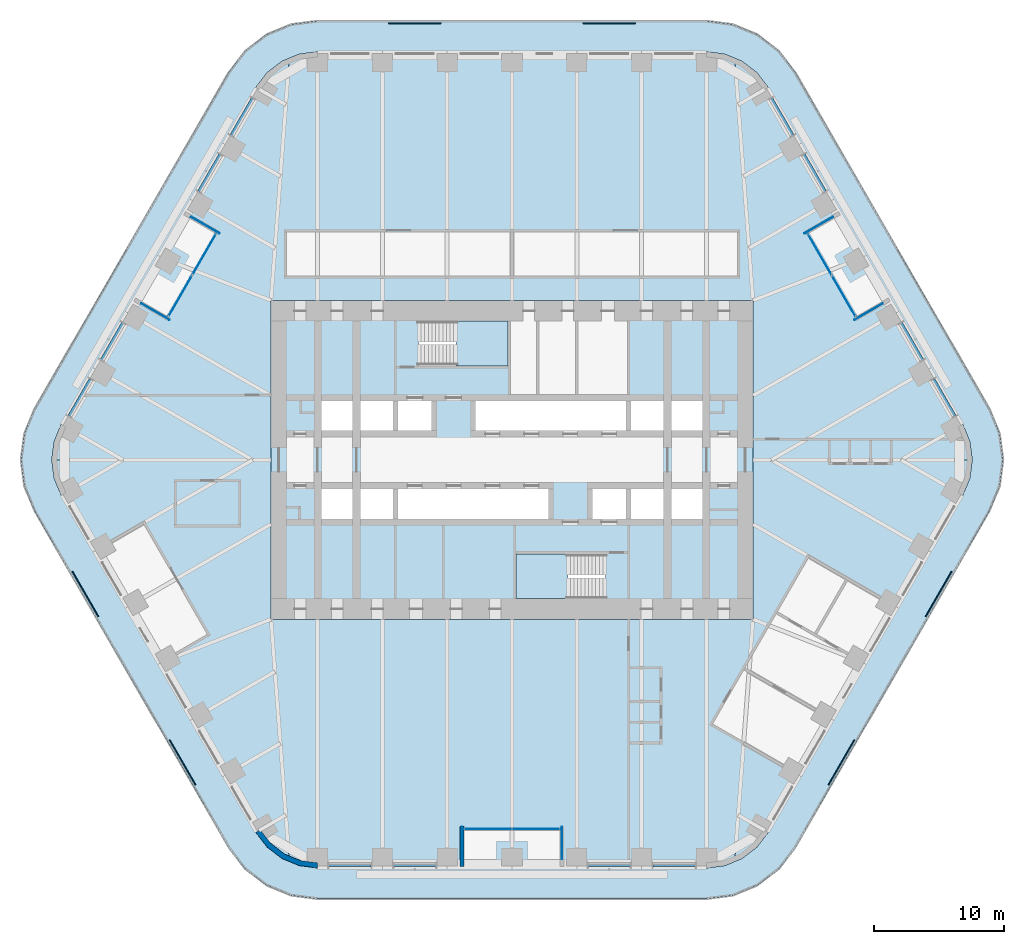
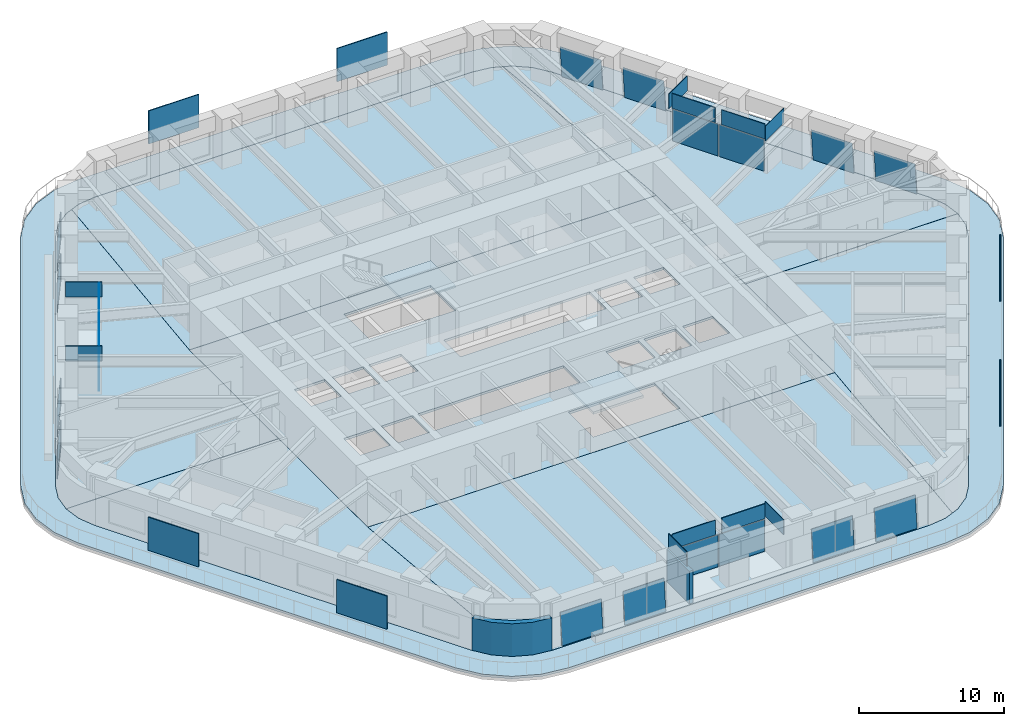
# One storey, part 16 of 24: 36 plates, 10 slabs, 2 walls, 17 elements without a shape of their own.
"""IFC4 building model written with IfcOpenShell, lengths in metres."""

import ifcopenshell
import ifcopenshell.guid

model = None  # the IFC model being written
_history = None  # IfcOwnerHistory: only IFC2X3 demands one
_inside = {}  # id of a spatial element -> (the spatial element, [elements in it])
_under = {}  # id of a project, library or spatial element -> (it, [spatial elements below it])
_declared = {}  # id of a project -> (the project, [libraries it declares])
_typed = {}  # id of a type object -> (the type object, [elements of that type])
_made_of = {}  # id of a material, layer set ... -> (it, [elements and type objects made of it])


def new_model(schema):
    """Start an empty IFC model of exactly this schema.

    Asked for "IFC4X3", IfcOpenShell would pick the latest addendum, in which some entities
    have other attributes; the version numbers below select the first issue.
    IFC2X3 requires an IfcOwnerHistory on every rooted entity: one is made here for all.
    """
    global model, _history
    if schema == "IFC4X3":
        model = ifcopenshell.file(schema_version=(4, 3, 0, 0))
    else:
        model = ifcopenshell.file(schema=schema)
    _inside.clear()
    _under.clear()
    _declared.clear()
    _typed.clear()
    _made_of.clear()
    _history = None
    if model.schema == "IFC2X3":
        org = make("IfcOrganization", Name="unknown")
        user = make(
            "IfcPersonAndOrganization",
            ThePerson=make("IfcPerson", FamilyName="unknown"),
            TheOrganization=org,
        )
        app = make(
            "IfcApplication",
            ApplicationDeveloper=org,
            Version="unknown",
            ApplicationFullName="unknown",
            ApplicationIdentifier="unknown",
        )
        _history = make(
            "IfcOwnerHistory",
            OwningUser=user,
            OwningApplication=app,
            ChangeAction="ADDED",
            CreationDate=0,
        )
    return model


def make(cls, **values):
    """One entity of the class cls with the attributes given. An attribute that is None is left unset."""
    return model.create_entity(
        cls, **{name: value for name, value in values.items() if value is not None}
    )


def rooted(cls, **values):
    """An entity with a GlobalId (a new one), such as an element, a storey or a relation."""
    return make(cls, GlobalId=ifcopenshell.guid.new(), OwnerHistory=_history, **values)


def si_unit(unit_type, name, prefix=None):
    """IfcSIUnit, for example si_unit("LENGTHUNIT", "METRE", prefix="MILLI")."""
    return make("IfcSIUnit", UnitType=unit_type, Prefix=prefix, Name=name)


def assignment(units):
    """IfcUnitAssignment: the units of a project."""
    return None if units is None else make("IfcUnitAssignment", Units=units)


def point(xyz):
    """IfcCartesianPoint."""
    return None if xyz is None else make("IfcCartesianPoint", Coordinates=xyz)


def direction(xyz):
    """IfcDirection."""
    return None if xyz is None else make("IfcDirection", DirectionRatios=xyz)


def frame(location, z_axis=None, x_axis=None):
    """IfcAxis2Placement3D, a coordinate frame: its origin and axes. An axis left out is left unset."""
    return make(
        "IfcAxis2Placement3D",
        Location=point(location),
        Axis=direction(z_axis),
        RefDirection=direction(x_axis),
    )


def frame_2d(location, x_axis=None):
    """IfcAxis2Placement2D, a coordinate frame in the plane: its origin and x axis."""
    return make(
        "IfcAxis2Placement2D", Location=point(location), RefDirection=direction(x_axis)
    )


def origin():
    """The frame at (0, 0, 0) with its axes left unset."""
    return frame((0.0, 0.0, 0.0))


def origin_2d():
    """The frame at (0, 0) in the plane with its x axis left unset."""
    return frame_2d((0.0, 0.0))


def place(relative_to, where):
    """IfcLocalPlacement: puts the frame where relative to a parent placement (None: the world)."""
    return make(
        "IfcLocalPlacement", PlacementRelTo=relative_to, RelativePlacement=where
    )


def context(
    kind, dimensions, precision=None, world=None, true_north=None, identifier=None
):
    """IfcGeometricRepresentationContext, for example the 3D "Model" context."""
    return make(
        "IfcGeometricRepresentationContext",
        ContextIdentifier=identifier,
        ContextType=kind,
        CoordinateSpaceDimension=dimensions,
        Precision=precision,
        WorldCoordinateSystem=world,
        TrueNorth=true_north,
    )


def subcontext(parent, identifier, kind, view, scale=None):
    """IfcGeometricRepresentationSubContext, for example "Body" below "Model"."""
    return make(
        "IfcGeometricRepresentationSubContext",
        ContextIdentifier=identifier,
        ContextType=kind,
        ParentContext=parent,
        TargetScale=scale,
        TargetView=view,
    )


def project(units=None, contexts=None):
    """IfcProject with its units and contexts."""
    return rooted(
        "IfcProject",
        Name="project",
        RepresentationContexts=contexts,
        UnitsInContext=assignment(units),
    )


def spatial(cls, under=None, at=None, **own):
    """A site, building, storey or space (cls), placed at a placement, below another one or the project."""
    s = rooted(cls, ObjectPlacement=at, **own)
    if under is not None:
        _under.setdefault(under.id(), (under, []))[1].append(s)
    return s


def polyline(points):
    """IfcPolyline through the points."""
    return make("IfcPolyline", Points=[point(p) for p in points])


def profile(cls, at=None, kind="AREA", **sizes):
    """A parametric profile (cls). Its sizes go by their IFC names, for example OverallWidth=200.0."""
    return make(cls, ProfileType=kind, Position=at, **sizes)


def rectangle(**sizes):
    """IfcRectangleProfileDef."""
    return profile("IfcRectangleProfileDef", **sizes)


def outline(outer, holes=None, kind="AREA"):
    """IfcArbitraryClosedProfileDef: a profile drawn as a closed curve; with holes, ...WithVoids."""
    if holes is None:
        return make("IfcArbitraryClosedProfileDef", ProfileType=kind, OuterCurve=outer)
    return make(
        "IfcArbitraryProfileDefWithVoids",
        ProfileType=kind,
        OuterCurve=outer,
        InnerCurves=holes,
    )


def extrude(swept, where, along, depth):
    """IfcExtrudedAreaSolid: the profile swept, set in the frame where, extruded along a direction by depth."""
    return make(
        "IfcExtrudedAreaSolid",
        SweptArea=swept,
        Position=where,
        ExtrudedDirection=direction(along),
        Depth=depth,
    )


def shape(context_of_items, identifier, shape_type, items):
    """IfcShapeRepresentation: the items that make up one representation, for example the "Body"."""
    return make(
        "IfcShapeRepresentation",
        ContextOfItems=context_of_items,
        RepresentationIdentifier=identifier,
        RepresentationType=shape_type,
        Items=items,
    )


def material(Name=None, Category=None):
    """IfcMaterial."""
    return make("IfcMaterial", Name=Name, Category=Category)


def layer(
    of_material, thickness, ventilated=None, Name=None, Category=None, Priority=None
):
    """IfcMaterialLayer: one layer of a wall or slab, of a material (None: an air gap)."""
    return make(
        "IfcMaterialLayer",
        Material=of_material,
        LayerThickness=thickness,
        IsVentilated=ventilated,
        Name=Name,
        Category=Category,
        Priority=Priority,
    )


def layer_set(layers, Name=None):
    """IfcMaterialLayerSet."""
    return make("IfcMaterialLayerSet", MaterialLayers=layers, LayerSetName=Name)


def made_of(thing, what):
    """Note that an element or type object is made of a material, layer set ...; save() writes the relation."""
    if what is not None:
        _made_of.setdefault(what.id(), (what, []))[1].append(thing)
    return thing


def type_object(cls, material=None, **own):
    """A type object (cls), such as IfcWallType, which elements share."""
    return made_of(rooted(cls, **own), material)


def element(
    cls,
    number,
    at=None,
    inside=None,
    cuts=None,
    type_object=None,
    material=None,
    context=None,
    identifier="Body",
    shape_type=None,
    held_by="IfcProductDefinitionShape",
    body=None,
    shapes=None,
    **own,
):
    """One element of the class cls, such as IfcWall. Its Tag is "e" and its number.

    at: its placement. inside: the storey or other place that contains it. cuts: it is an
    opening in that element (IfcRelVoidsElement). A single representation is given by context,
    identifier, shape_type and body (its items); several are given by shapes. held_by: the class
    of the entity that holds the representations. save() writes the other relations.
    """
    e = rooted(cls, Tag="e%d" % number, ObjectPlacement=at, **own)
    if body is not None:
        shapes = [shape(context, identifier, shape_type, body)]
    if shapes is not None:
        e.Representation = make(held_by, Representations=shapes)
    if inside is not None:
        _inside.setdefault(inside.id(), (inside, []))[1].append(e)
    if cuts is not None:
        rooted(
            "IfcRelVoidsElement", RelatingBuildingElement=cuts, RelatedOpeningElement=e
        )
    if type_object is not None:
        _typed.setdefault(type_object.id(), (type_object, []))[1].append(e)
    return made_of(e, material)


def aggregate(whole, parts):
    """IfcRelAggregates: a whole, such as a stair, and the parts it consists of."""
    return rooted("IfcRelAggregates", RelatingObject=whole, RelatedObjects=parts)


def save(model, path):
    """Write the relations noted so far, then the file.

    IfcRelAggregates (storeys below a building ...), IfcRelContainedInSpatialStructure (elements
    in a storey), IfcRelDefinesByType, IfcRelAssociatesMaterial and IfcRelDeclares: one each for
    every whole, place, type object, material and project.
    """
    for whole, parts in _under.values():
        aggregate(whole, parts)
    for where, things in _inside.values():
        rooted(
            "IfcRelContainedInSpatialStructure",
            RelatedElements=things,
            RelatingStructure=where,
        )
    for kind, things in _typed.values():
        rooted("IfcRelDefinesByType", RelatedObjects=things, RelatingType=kind)
    for what, things in _made_of.values():
        rooted("IfcRelAssociatesMaterial", RelatedObjects=things, RelatingMaterial=what)
    for by, libraries in _declared.values():
        rooted("IfcRelDeclares", RelatingContext=by, RelatedDefinitions=libraries)
    model.write(path)


model = new_model("IFC4")

# Units and contexts
model_context = context("Model", 3, precision=1e-05, world=origin(), true_north=direction((0.0, 1.0)))
body_context = subcontext(model_context, "Body", "Model", "MODEL_VIEW")
ifc_project = project(units=[si_unit("LENGTHUNIT", "METRE"), si_unit("AREAUNIT", "SQUARE_METRE"), si_unit("VOLUMEUNIT", "CUBIC_METRE"), si_unit("PLANEANGLEUNIT", "RADIAN"), si_unit("MASSUNIT", "GRAM", prefix="KILO")], contexts=[model_context])

# Site, building, storey
site_placement = place(None, origin())
site = spatial("IfcSite", under=ifc_project, at=site_placement, CompositionType="ELEMENT")
building_placement = place(site_placement, origin())
building = spatial("IfcBuilding", under=site, at=building_placement, Name="Tarfa Lantern Tower", CompositionType="ELEMENT")
storey_placement = place(building_placement, frame((0.0, 0.0, 161.5)))
storey = spatial("IfcBuildingStorey", under=building, at=storey_placement, Name="L36", CompositionType="ELEMENT", Elevation=161.5)

# Slab
ifc_material_1 = material(Name="Concrete C40/50", Category="concrete")
ifc_layer_1 = layer(ifc_material_1, 0.199951171875)
ifc_layer_set_1 = layer_set([ifc_layer_1], Name="BS2 BALCONY SLAB 200")
slab_type_1 = type_object("IfcSlabType", Name="BS2 BALCONY SLAB 200", PredefinedType="FLOOR", material=ifc_layer_set_1)
slab_1_placement = place(storey_placement, frame((0.0, 0.0, -0.199951171875)))
element("IfcSlab", 1, at=slab_1_placement, inside=storey, type_object=slab_type_1, Name="Balcony L36", PredefinedType="FLOOR", context=body_context, shape_type="SweptSolid", body=[
    extrude(outline(polyline([(36.86376953125, 3.949951171875), (21.852783203125, 29.949951171875), (20.59716796875, 31.586181640625), (18.961181640625, 32.841552734375), (17.0556640625, 33.630859375), (15.010986328125, 33.89990234375), (-15.010986328125, 33.89990234375), (-17.0556640625, 33.630859375), (-18.961181640625, 32.841552734375), (-20.59716796875, 31.586181640625), (-21.852783203125, 29.949951171875), (-36.86376953125, 3.949951171875), (-37.653076171875, 2.044677734375), (-37.922119140625, 0.0), (-37.653076171875, -2.044677734375), (-36.86376953125, -3.949951171875), (-21.852783203125, -29.949951171875), (-20.59716796875, -31.586181640625), (-18.961181640625, -32.841552734375), (-17.0556640625, -33.630859375), (-15.010986328125, -33.89990234375), (15.010986328125, -33.89990234375), (17.0556640625, -33.630859375), (18.961181640625, -32.841552734375), (20.59716796875, -31.586181640625), (21.852783203125, -29.949951171875), (36.86376953125, -3.949951171875), (37.653076171875, -2.044677734375), (37.922119140625, 0.0), (37.653076171875, 2.044677734375), (36.86376953125, 3.949951171875)]), holes=[polyline([(34.785400390625, 2.75), (19.774169921875, 28.75), (18.900146484375, 29.88916015625), (17.760986328125, 30.76318359375), (16.4345703125, 31.3125), (15.010986328125, 31.5), (-15.010986328125, 31.5), (-16.4345703125, 31.3125), (-17.760986328125, 30.76318359375), (-18.900146484375, 29.88916015625), (-19.774169921875, 28.75), (-34.785400390625, 2.75), (-35.334716796875, 1.423583984375), (-35.522216796875, 0.0), (-35.334716796875, -1.423583984375), (-34.785400390625, -2.75), (-19.774169921875, -28.75), (-18.900146484375, -29.88916015625), (-17.760986328125, -30.76318359375), (-16.4345703125, -31.3125), (-15.010986328125, -31.5), (15.010986328125, -31.5), (16.4345703125, -31.3125), (17.760986328125, -30.76318359375), (18.900146484375, -29.88916015625), (19.774169921875, -28.75), (34.785400390625, -2.75), (35.334716796875, -1.423583984375), (35.522216796875, 0.0), (35.334716796875, 1.423583984375), (34.785400390625, 2.75)])]), origin(), (0.0, 0.0, 1.0), 0.199951171875),
])

# Curtain wall, plate
ifc_material_2 = material(Name="Aluminium framed curtain wall", Category="aluminium")
curtain_wall_type_1 = type_object("IfcCurtainWallType", Name="CW2 CANTED GLAZING MID ZONE 2750", PredefinedType="USERDEFINED", material=ifc_material_2)
curtain_wall_1_placement = place(storey_placement, origin())
curtain_wall_1 = element("IfcCurtainWall", 2, at=curtain_wall_1_placement, inside=storey, type_object=curtain_wall_type_1, Name="CW2 NE L36", ObjectType="CURTAIN WALL", PredefinedType="USERDEFINED")
ifc_material_3 = material(Name="Laminated double glazing", Category="glass")
ifc_layer_2 = layer(ifc_material_3, 0.028076171875)
ifc_layer_set_2 = layer_set([ifc_layer_2], Name="CWP1 DOUBLE GLAZED PANEL")
plate_type_1 = type_object("IfcPlateType", Name="CWP1 DOUBLE GLAZED PANEL", PredefinedType="CURTAIN_PANEL", material=ifc_layer_set_2)
plate_1_placement = place(storey_placement, frame((34.266357421875, 3.44921875, 0.0), z_axis=(0.862441677575, 0.497990996223, 0.09055009919), x_axis=(-0.500045231271, 0.865999287923, 0.0)))
plate_1 = element("IfcPlate", 3, at=plate_1_placement, type_object=plate_type_1, Name="CW2 panel 1.1", PredefinedType="CURTAIN_PANEL", context=body_context, shape_type="SweptSolid", body=[
    extrude(outline(polyline([(0.0, 0.0), (3.2736296403891254, -2.7755575615628914e-17), (3.273639290369484, 2.696134580088432), (9.64998035858606e-06, 2.696134580088432), (0.0, 0.0)])), origin(), (0.0, 0.0, -1.0), 0.028076171875),
])
aggregate(curtain_wall_1, [plate_1])

curtain_wall_2_placement = place(storey_placement, origin())
curtain_wall_2 = element("IfcCurtainWall", 4, at=curtain_wall_2_placement, inside=storey, type_object=curtain_wall_type_1, Name="CW2 NE L36", ObjectType="CURTAIN WALL", PredefinedType="USERDEFINED")
plate_2_placement = place(storey_placement, frame((31.764404296875, 7.782470703125, 0.0), z_axis=(0.862479387985, 0.497932752669, 0.090511209914), x_axis=(-0.499985201727, 0.866033947398, 2.910741e-06)))
plate_2 = element("IfcPlate", 5, at=plate_2_placement, type_object=plate_type_1, Name="CW2 panel 1.1", PredefinedType="CURTAIN_PANEL", context=body_context, shape_type="SweptSolid", body=[
    extrude(outline(polyline([(0.0, 0.0), (3.2738410665798376, 0.0), (3.273719542684435, 2.696115441250439), (5.428042382078573e-07, 2.696134578050012), (0.0, 0.0)])), origin(), (0.0, 0.0, -1.0), 0.028076171875),
])
aggregate(curtain_wall_2, [plate_2])

curtain_wall_3_placement = place(storey_placement, origin())
curtain_wall_3 = element("IfcCurtainWall", 6, at=curtain_wall_3_placement, inside=storey, type_object=curtain_wall_type_1, Name="CW2 NEB L36", ObjectType="CURTAIN WALL", PredefinedType="USERDEFINED")
plate_3_placement = place(storey_placement, frame((24.2587890625, 20.782470703125, 0.0), z_axis=(0.862492405459, 0.49790313323, 0.090550099086), x_axis=(-0.499957005835, 0.866050225054, 0.0)))
plate_3 = element("IfcPlate", 7, at=plate_3_placement, type_object=plate_type_1, Name="CW2 panel 1.1", PredefinedType="CURTAIN_PANEL", context=body_context, shape_type="SweptSolid", body=[
    extrude(outline(polyline([(0.0, 0.0), (3.273719001629088, 0.0), (3.2737037805661293, 2.6961345800627363), (-1.5221062958495346e-05, 2.6961345800627363), (0.0, 0.0)])), origin(), (0.0, 0.0, -1.0), 0.028076171875),
])
aggregate(curtain_wall_3, [plate_3])

curtain_wall_4_placement = place(storey_placement, origin())
curtain_wall_4 = element("IfcCurtainWall", 8, at=curtain_wall_4_placement, inside=storey, type_object=curtain_wall_type_1, Name="CW2 NEB L36", ObjectType="CURTAIN WALL", PredefinedType="USERDEFINED")
plate_4_placement = place(storey_placement, frame((21.757080078125, 25.11572265625, 0.0), z_axis=(0.862460247027, 0.49795883547, 0.09055009926), x_axis=(-0.500012937857, 0.86601793398, 0.0)))
plate_4 = element("IfcPlate", 9, at=plate_4_placement, type_object=plate_type_1, Name="CW2 panel 1.1", PredefinedType="CURTAIN_PANEL", context=body_context, shape_type="SweptSolid", body=[
    extrude(outline(polyline([(0.0, 0.0), (3.2738410682727324, -2.7755575615628914e-17), (3.27384161446276, 2.6961345801056464), (5.461900275667914e-07, 2.6961345801056464), (0.0, 0.0)])), origin(), (0.0, 0.0, -1.0), 0.028076171875),
])
aggregate(curtain_wall_4, [plate_4])

# Curtain wall, plates
curtain_wall_type_2 = type_object("IfcCurtainWallType", Name="CW10 LOGGIA GLAZING 2750", PredefinedType="USERDEFINED", material=ifc_material_2)
curtain_wall_5_placement = place(storey_placement, origin())
curtain_wall_5 = element("IfcCurtainWall", 10, at=curtain_wall_5_placement, inside=storey, type_object=curtain_wall_type_2, Name="CW10 NEL L36", ObjectType="CURTAIN WALL", PredefinedType="USERDEFINED")
plate_5_placement = place(storey_placement, frame((25.599609375, 12.660400390625, 0.0), z_axis=(0.0, 0.0, 1.0), x_axis=(-0.5, 0.866025403784, 0.0)))
plate_5 = element("IfcPlate", 11, at=plate_5_placement, type_object=plate_type_1, Name="CW10 panel 1.1", PredefinedType="CURTAIN_PANEL", context=body_context, shape_type="SweptSolid", body=[
    extrude(rectangle(XDim=3.606201171875, YDim=0.028076171875, at=origin_2d()), origin(), (0.0, 0.0, 1.0), 2.68505859375),
])
plate_6_placement = place(storey_placement, frame((23.763916015625, 15.839599609375, 0.0), z_axis=(0.0, 0.0, 1.0), x_axis=(-0.5, 0.866025403784, 0.0)))
plate_6 = element("IfcPlate", 12, at=plate_6_placement, type_object=plate_type_1, Name="CW10 panel 2.1", PredefinedType="CURTAIN_PANEL", context=body_context, shape_type="SweptSolid", body=[
    extrude(rectangle(XDim=3.606201171875, YDim=0.028076171875, at=origin_2d()), origin(), (0.0, 0.0, 1.0), 2.68505859375),
])
aggregate(curtain_wall_5, [plate_5, plate_6])

# Curtain wall, plate
curtain_wall_6_placement = place(storey_placement, origin())
curtain_wall_6 = element("IfcCurtainWall", 13, at=curtain_wall_6_placement, inside=storey, type_object=curtain_wall_type_1, Name="CW2 NW L36", ObjectType="CURTAIN WALL", PredefinedType="USERDEFINED")
plate_7_placement = place(storey_placement, frame((-20.1201171875, 27.950927734375, 0.0), z_axis=(-0.862460247027, 0.49795883547, 0.09055009926), x_axis=(-0.500012937857, -0.86601793398, 0.0)))
plate_7 = element("IfcPlate", 14, at=plate_7_placement, type_object=plate_type_1, Name="CW2 panel 1.1", PredefinedType="CURTAIN_PANEL", context=body_context, shape_type="SweptSolid", body=[
    extrude(outline(polyline([(0.0, 0.0), (3.2738410682727324, 2.7755575615628914e-17), (3.273840522082705, 2.6961345801056464), (-5.461900275667914e-07, 2.6961345801056464), (0.0, 0.0)])), origin(), (0.0, 0.0, -1.0), 0.028076171875),
])
aggregate(curtain_wall_6, [plate_7])

curtain_wall_7_placement = place(storey_placement, origin())
curtain_wall_7 = element("IfcCurtainWall", 15, at=curtain_wall_7_placement, inside=storey, type_object=curtain_wall_type_1, Name="CW2 NW L36", ObjectType="CURTAIN WALL", PredefinedType="USERDEFINED")
plate_8_placement = place(storey_placement, frame((-22.6220703125, 23.61767578125, 0.0), z_axis=(-0.862492405459, 0.49790313323, 0.090550099086), x_axis=(-0.499957005835, -0.866050225054, 0.0)))
plate_8 = element("IfcPlate", 16, at=plate_8_placement, type_object=plate_type_1, Name="CW2 panel 1.1", PredefinedType="CURTAIN_PANEL", context=body_context, shape_type="SweptSolid", body=[
    extrude(outline(polyline([(0.0, 0.0), (3.273719001629088, 0.0), (3.2737342226920463, 2.6961345800627363), (1.5221062958495346e-05, 2.6961345800627363), (0.0, 0.0)])), origin(), (0.0, 0.0, -1.0), 0.028076171875),
])
aggregate(curtain_wall_7, [plate_8])

curtain_wall_8_placement = place(storey_placement, origin())
curtain_wall_8 = element("IfcCurtainWall", 17, at=curtain_wall_8_placement, inside=storey, type_object=curtain_wall_type_1, Name="CW2 NWB L36", ObjectType="CURTAIN WALL", PredefinedType="USERDEFINED")
plate_9_placement = place(storey_placement, frame((-30.12744140625, 10.61767578125, 0.0), z_axis=(-0.862479387985, 0.497932752669, 0.090511209914), x_axis=(-0.499985201727, -0.866033947398, -2.910741e-06)))
plate_9 = element("IfcPlate", 18, at=plate_9_placement, type_object=plate_type_1, Name="CW2 panel 1.1", PredefinedType="CURTAIN_PANEL", context=body_context, shape_type="SweptSolid", body=[
    extrude(outline(polyline([(0.0, 0.0), (3.2738410665798376, 0.0), (3.2738405237755996, 2.696134578050012), (0.00012152389540222507, 2.6961154412504387), (0.0, 0.0)])), origin(), (0.0, 0.0, -1.0), 0.028076171875),
])
aggregate(curtain_wall_8, [plate_9])

curtain_wall_9_placement = place(storey_placement, origin())
curtain_wall_9 = element("IfcCurtainWall", 19, at=curtain_wall_9_placement, inside=storey, type_object=curtain_wall_type_1, Name="CW2 NWB L36", ObjectType="CURTAIN WALL", PredefinedType="USERDEFINED")
plate_10_placement = place(storey_placement, frame((-32.62939453125, 6.2841796875, 0.0), z_axis=(-0.862441677575, 0.497990996223, 0.09055009919), x_axis=(-0.500045231271, -0.865999287923, 0.0)))
plate_10 = element("IfcPlate", 20, at=plate_10_placement, type_object=plate_type_1, Name="CW2 panel 1.1", PredefinedType="CURTAIN_PANEL", context=body_context, shape_type="SweptSolid", body=[
    extrude(outline(polyline([(0.0, 0.0), (3.2736296403891254, 2.7755575615628914e-17), (3.273619990408767, 2.696134580088432), (-9.64998035858606e-06, 2.696134580088432), (0.0, 0.0)])), origin(), (0.0, 0.0, -1.0), 0.028076171875),
])
aggregate(curtain_wall_9, [plate_10])

# Curtain wall, plates
curtain_wall_10_placement = place(storey_placement, origin())
curtain_wall_10 = element("IfcCurtainWall", 21, at=curtain_wall_10_placement, inside=storey, type_object=curtain_wall_type_2, Name="CW10 NWL L36", ObjectType="CURTAIN WALL", PredefinedType="USERDEFINED")
plate_11_placement = place(storey_placement, frame((-23.763916015625, 15.839599609375, 0.0), z_axis=(0.0, 0.0, 1.0), x_axis=(-0.5, -0.866025403784, 0.0)))
plate_11 = element("IfcPlate", 22, at=plate_11_placement, type_object=plate_type_1, Name="CW10 panel 1.1", PredefinedType="CURTAIN_PANEL", context=body_context, shape_type="SweptSolid", body=[
    extrude(rectangle(XDim=3.606201171875, YDim=0.028076171875, at=origin_2d()), origin(), (0.0, 0.0, 1.0), 2.68505859375),
])
plate_12_placement = place(storey_placement, frame((-25.599609375, 12.660400390625, 0.0), z_axis=(0.0, 0.0, 1.0), x_axis=(-0.5, -0.866025403784, 0.0)))
plate_12 = element("IfcPlate", 23, at=plate_12_placement, type_object=plate_type_1, Name="CW10 panel 2.1", PredefinedType="CURTAIN_PANEL", context=body_context, shape_type="SweptSolid", body=[
    extrude(rectangle(XDim=3.606201171875, YDim=0.028076171875, at=origin_2d()), origin(), (0.0, 0.0, 1.0), 2.68505859375),
])
aggregate(curtain_wall_10, [plate_11, plate_12])

# Curtain wall, plate
curtain_wall_11_placement = place(storey_placement, origin())
curtain_wall_11 = element("IfcCurtainWall", 24, at=curtain_wall_11_placement, inside=storey, type_object=curtain_wall_type_1, Name="CW2 S L36", ObjectType="CURTAIN WALL", PredefinedType="USERDEFINED")
plate_13_placement = place(storey_placement, frame((-14.14599609375, -31.39990234375, 0.0), z_axis=(0.0, -0.995899883883, 0.090462264412), x_axis=(1.0, 0.0, 0.0)))
plate_13 = element("IfcPlate", 25, at=plate_13_placement, type_object=plate_type_1, Name="CW2 panel 1.1", PredefinedType="CURTAIN_PANEL", context=body_context, shape_type="SweptSolid", body=[
    extrude(outline(polyline([(0.0, 0.0), (3.273681640625, 0.0), (3.273681640625, 2.6961129699923947), (0.0, 2.6961129699923947), (0.0, 0.0)])), origin(), (0.0, 0.0, -1.0), 0.028076171875),
])
aggregate(curtain_wall_11, [plate_13])

curtain_wall_12_placement = place(storey_placement, origin())
curtain_wall_12 = element("IfcCurtainWall", 26, at=curtain_wall_12_placement, inside=storey, type_object=curtain_wall_type_1, Name="CW2 S L36", ObjectType="CURTAIN WALL", PredefinedType="USERDEFINED")
plate_14_placement = place(storey_placement, frame((-9.142333984375, -31.39990234375, 0.0), z_axis=(0.0, -0.995899883883, 0.090462264412), x_axis=(1.0, 0.0, 0.0)))
plate_14 = element("IfcPlate", 27, at=plate_14_placement, type_object=plate_type_1, Name="CW2 panel 1.1", PredefinedType="CURTAIN_PANEL", context=body_context, shape_type="SweptSolid", body=[
    extrude(outline(polyline([(0.0, 0.0), (3.273681640625, 0.0), (3.273681640625, 2.6961129699923947), (0.0, 2.6961129699923947), (0.0, 0.0)])), origin(), (0.0, 0.0, -1.0), 0.028076171875),
])
aggregate(curtain_wall_12, [plate_14])

curtain_wall_13_placement = place(storey_placement, origin())
curtain_wall_13 = element("IfcCurtainWall", 28, at=curtain_wall_13_placement, inside=storey, type_object=curtain_wall_type_1, Name="CW2 SB L36", ObjectType="CURTAIN WALL", PredefinedType="USERDEFINED")
plate_15_placement = place(storey_placement, frame((5.86865234375, -31.39990234375, 0.0), z_axis=(0.0, -0.995899883883, 0.090462264412), x_axis=(1.0, 0.0, 0.0)))
plate_15 = element("IfcPlate", 29, at=plate_15_placement, type_object=plate_type_1, Name="CW2 panel 1.1", PredefinedType="CURTAIN_PANEL", context=body_context, shape_type="SweptSolid", body=[
    extrude(outline(polyline([(0.0, 0.0), (3.273681640625, 0.0), (3.273681640625, 2.6961129699923947), (0.0, 2.6961129699923947), (0.0, 0.0)])), origin(), (0.0, 0.0, -1.0), 0.028076171875),
])
aggregate(curtain_wall_13, [plate_15])

curtain_wall_14_placement = place(storey_placement, origin())
curtain_wall_14 = element("IfcCurtainWall", 30, at=curtain_wall_14_placement, inside=storey, type_object=curtain_wall_type_1, Name="CW2 SB L36", ObjectType="CURTAIN WALL", PredefinedType="USERDEFINED")
plate_16_placement = place(storey_placement, frame((10.872314453125, -31.39990234375, 0.0), z_axis=(0.0, -0.995899883883, 0.090462264412), x_axis=(1.0, 0.0, 0.0)))
plate_16 = element("IfcPlate", 31, at=plate_16_placement, type_object=plate_type_1, Name="CW2 panel 1.1", PredefinedType="CURTAIN_PANEL", context=body_context, shape_type="SweptSolid", body=[
    extrude(outline(polyline([(0.0, 0.0), (3.273681640625, 0.0), (3.273681640625, 2.6961129699923947), (0.0, 2.6961129699923947), (0.0, 0.0)])), origin(), (0.0, 0.0, -1.0), 0.028076171875),
])
aggregate(curtain_wall_14, [plate_16])

# Curtain wall, plates
curtain_wall_15_placement = place(storey_placement, origin())
curtain_wall_15 = element("IfcCurtainWall", 32, at=curtain_wall_15_placement, inside=storey, type_object=curtain_wall_type_2, Name="CW10 SL L36", ObjectType="CURTAIN WALL", PredefinedType="USERDEFINED")
plate_17_placement = place(storey_placement, frame((-1.835693359375, -28.5, 0.0), z_axis=(0.0, 0.0, 1.0), x_axis=(1.0, 0.0, 0.0)))
plate_17 = element("IfcPlate", 33, at=plate_17_placement, type_object=plate_type_1, Name="CW10 panel 1.1", PredefinedType="CURTAIN_PANEL", context=body_context, shape_type="SweptSolid", body=[
    extrude(rectangle(XDim=3.606201171875, YDim=0.028076171875, at=origin_2d()), origin(), (0.0, 0.0, 1.0), 2.68505859375),
])
plate_18_placement = place(storey_placement, frame((1.835693359375, -28.5, 0.0), z_axis=(0.0, 0.0, 1.0), x_axis=(1.0, 0.0, 0.0)))
plate_18 = element("IfcPlate", 34, at=plate_18_placement, type_object=plate_type_1, Name="CW10 panel 2.1", PredefinedType="CURTAIN_PANEL", context=body_context, shape_type="SweptSolid", body=[
    extrude(rectangle(XDim=3.606201171875, YDim=0.028076171875, at=origin_2d()), origin(), (0.0, 0.0, 1.0), 2.68505859375),
])
aggregate(curtain_wall_15, [plate_17, plate_18])

# Slabs
ifc_layer_3 = layer(ifc_material_1, 0.199951171875)
ifc_layer_set_3 = layer_set([ifc_layer_3], Name="FS1 FLOOR SLAB 200")
slab_type_2 = type_object("IfcSlabType", Name="FS1 FLOOR SLAB 200", PredefinedType="FLOOR", material=ifc_layer_set_3)
slab_2_placement = place(storey_placement, frame((0.0, 0.0, -0.199951171875)))
element("IfcSlab", 35, at=slab_2_placement, inside=storey, type_object=slab_type_2, Name="Floor slab L36", PredefinedType="FLOOR", context=body_context, shape_type="SweptSolid", body=[
    extrude(outline(polyline([(-18.60009765625, -12.300048828125), (18.60009765625, -12.300048828125), (18.60009765625, 12.300048828125), (-18.60009765625, 12.300048828125), (-18.60009765625, -12.300048828125)]), holes=[polyline([(-14.699951171875, 2.25), (-12.300048828125, 2.25), (-12.300048828125, 4.550048828125), (-14.699951171875, 4.550048828125), (-14.699951171875, 2.25)]), polyline([(-11.699951171875, 2.25), (-9.199951171875, 2.25), (-9.199951171875, 4.550048828125), (-11.699951171875, 4.550048828125), (-11.699951171875, 2.25)]), polyline([(-8.800048828125, 2.25), (-6.199951171875, 2.25), (-6.199951171875, 4.550048828125), (-8.800048828125, 4.550048828125), (-8.800048828125, 2.25)]), polyline([(-2.800048828125, 2.25), (8.800048828125, 2.25), (8.800048828125, 4.550048828125), (-2.800048828125, 4.550048828125), (-2.800048828125, 2.25)]), polyline([(9.199951171875, 2.25), (11.699951171875, 2.25), (11.699951171875, 4.550048828125), (9.199951171875, 4.550048828125), (9.199951171875, 2.25)]), polyline([(12.300048828125, 2.25), (14.699951171875, 2.25), (14.699951171875, 4.550048828125), (12.300048828125, 4.550048828125), (12.300048828125, 2.25)]), polyline([(14.699951171875, -2.25), (12.300048828125, -2.25), (12.300048828125, -4.550048828125), (14.699951171875, -4.550048828125), (14.699951171875, -2.25)]), polyline([(11.699951171875, -2.25), (9.199951171875, -2.25), (9.199951171875, -4.550048828125), (11.699951171875, -4.550048828125), (11.699951171875, -2.25)]), polyline([(8.800048828125, -2.25), (6.199951171875, -2.25), (6.199951171875, -4.550048828125), (8.800048828125, -4.550048828125), (8.800048828125, -2.25)]), polyline([(2.800048828125, -2.25), (-8.800048828125, -2.25), (-8.800048828125, -4.550048828125), (2.800048828125, -4.550048828125), (2.800048828125, -2.25)]), polyline([(-9.199951171875, -2.25), (-11.699951171875, -2.25), (-11.699951171875, -4.550048828125), (-9.199951171875, -4.550048828125), (-9.199951171875, -2.25)]), polyline([(-12.300048828125, -2.25), (-14.699951171875, -2.25), (-14.699951171875, -4.550048828125), (-12.300048828125, -4.550048828125), (-12.300048828125, -2.25)]), polyline([(-7.199951171875, 7.25), (-0.300048828125, 7.25), (-0.300048828125, 10.699951171875), (-7.199951171875, 10.699951171875), (-7.199951171875, 7.25)]), polyline([(7.199951171875, -7.25), (0.300048828125, -7.25), (0.300048828125, -10.699951171875), (7.199951171875, -10.699951171875), (7.199951171875, -7.25)])]), origin(), (0.0, 0.0, 1.0), 0.199951171875),
])
slab_3_placement = place(storey_placement, frame((0.0, 0.0, -0.199951171875)))
element("IfcSlab", 36, at=slab_3_placement, inside=storey, type_object=slab_type_2, Name="Floor slab L36 NE bay", PredefinedType="FLOOR", context=body_context, shape_type="SweptSolid", body=[
    extrude(outline(polyline([(34.783447265625, 2.7490234375), (19.7724609375, 28.748779296875), (18.898681640625, 29.8876953125), (17.760009765625, 30.761474609375), (17.19189453125, 30.996826171875), (18.60205078125, 12.300048828125), (18.60205078125, 0.001953125), (35.52001953125, 0.001953125), (35.332763671875, 1.423095703125), (34.783447265625, 2.7490234375)])), origin(), (0.0, 0.0, 1.0), 0.199951171875),
])
slab_4_placement = place(storey_placement, frame((0.0, 0.0, -0.199951171875)))
element("IfcSlab", 37, at=slab_4_placement, inside=storey, type_object=slab_type_2, Name="Floor slab L36 N bay", PredefinedType="FLOOR", context=body_context, shape_type="SweptSolid", body=[
    extrude(outline(polyline([(-18.597900390625, 12.302001953125), (18.597900390625, 12.302001953125), (17.187744140625, 30.99853515625), (16.43408203125, 31.310546875), (15.010986328125, 31.498046875), (-15.010986328125, 31.498046875), (-16.43408203125, 31.310546875), (-17.187744140625, 30.99853515625), (-18.597900390625, 12.302001953125)])), origin(), (0.0, 0.0, 1.0), 0.199951171875),
])
slab_5_placement = place(storey_placement, frame((0.0, 0.0, -0.199951171875)))
element("IfcSlab", 38, at=slab_5_placement, inside=storey, type_object=slab_type_2, Name="Floor slab L36 NW bay", PredefinedType="FLOOR", context=body_context, shape_type="SweptSolid", body=[
    extrude(outline(polyline([(-18.60205078125, 0.001953125), (-18.60205078125, 12.300048828125), (-17.19189453125, 30.996826171875), (-17.760009765625, 30.761474609375), (-18.898681640625, 29.8876953125), (-19.7724609375, 28.748779296875), (-34.783447265625, 2.7490234375), (-35.332763671875, 1.423095703125), (-35.52001953125, 0.001953125), (-18.60205078125, 0.001953125)])), origin(), (0.0, 0.0, 1.0), 0.199951171875),
])
slab_6_placement = place(storey_placement, frame((0.0, 0.0, -0.199951171875)))
element("IfcSlab", 39, at=slab_6_placement, inside=storey, type_object=slab_type_2, Name="Floor slab L36 SW bay", PredefinedType="FLOOR", context=body_context, shape_type="SweptSolid", body=[
    extrude(outline(polyline([(-18.60205078125, -12.300048828125), (-18.60205078125, -0.001953125), (-35.52001953125, -0.001953125), (-35.332763671875, -1.423095703125), (-34.783447265625, -2.7490234375), (-19.7724609375, -28.748779296875), (-18.898681640625, -29.8876953125), (-17.760009765625, -30.761474609375), (-17.19189453125, -30.996826171875), (-18.60205078125, -12.300048828125)])), origin(), (0.0, 0.0, 1.0), 0.199951171875),
])
slab_7_placement = place(storey_placement, frame((0.0, 0.0, -0.199951171875)))
element("IfcSlab", 40, at=slab_7_placement, inside=storey, type_object=slab_type_2, Name="Floor slab L36 S bay", PredefinedType="FLOOR", context=body_context, shape_type="SweptSolid", body=[
    extrude(outline(polyline([(18.597900390625, -12.302001953125), (-18.597900390625, -12.302001953125), (-17.187744140625, -30.99853515625), (-16.43408203125, -31.310546875), (-15.010986328125, -31.498046875), (15.010986328125, -31.498046875), (16.43408203125, -31.310546875), (17.187744140625, -30.99853515625), (18.597900390625, -12.302001953125)])), origin(), (0.0, 0.0, 1.0), 0.199951171875),
])
slab_8_placement = place(storey_placement, frame((0.0, 0.0, -0.199951171875)))
element("IfcSlab", 41, at=slab_8_placement, inside=storey, type_object=slab_type_2, Name="Floor slab L36 SE bay", PredefinedType="FLOOR", context=body_context, shape_type="SweptSolid", body=[
    extrude(outline(polyline([(18.60205078125, -0.001953125), (18.60205078125, -12.300048828125), (17.19189453125, -30.996826171875), (17.760009765625, -30.761474609375), (18.898681640625, -29.8876953125), (19.7724609375, -28.748779296875), (34.783447265625, -2.7490234375), (35.332763671875, -1.423095703125), (35.52001953125, -0.001953125), (18.60205078125, -0.001953125)])), origin(), (0.0, 0.0, 1.0), 0.199951171875),
])

# Plates
ifc_material_4 = material(Name="Aluminium fascia panel", Category="aluminium")
ifc_layer_4 = layer(ifc_material_4, 0.050048828125)
ifc_layer_set_4 = layer_set([ifc_layer_4], Name="LF1 LOGGIA HEAD FASCIA 50")
plate_type_2 = type_object("IfcPlateType", Name="LF1 LOGGIA HEAD FASCIA 50", PredefinedType="USERDEFINED", material=ifc_layer_set_4)
for number, where, z_axis, x_axis, name in (
    (42, (25.670166015625, 12.5380859375, 2.75), (0.0, 0.0, 1.0), (-0.5, 0.866025403784, 0.0), "Loggia head fascia NE"),
    (43, (23.693359375, 15.9619140625, 2.75), (0.0, 0.0, 1.0), (-0.5, 0.866025403784, 0.0), "Loggia head fascia NE"),
):
    element("IfcPlate", number, at=place(storey_placement, frame(where, z_axis=z_axis, x_axis=x_axis)), inside=storey, type_object=plate_type_2, Name=name, ObjectType="FASCIA", PredefinedType="USERDEFINED", context=body_context, shape_type="SweptSolid", body=[
        extrude(rectangle(XDim=3.45361328125, YDim=0.050048828125, at=origin_2d()), origin(), (0.0, 0.0, 1.0), 1.25),
    ])
for number, where, z_axis, x_axis, name in (
    (44, (27.526611328125, 11.442626953125, 2.75), (0.0, 0.0, 1.0), (-0.866025403784, -0.5, 0.0), "Loggia head fascia NE"),
    (45, (23.6728515625, 18.117431640625, 2.75), (0.0, 0.0, 1.0), (-0.866025403784, -0.5, 0.0), "Loggia head fascia NE"),
):
    element("IfcPlate", number, at=place(storey_placement, frame(where, z_axis=z_axis, x_axis=x_axis)), inside=storey, type_object=plate_type_2, Name=name, ObjectType="FASCIA", PredefinedType="USERDEFINED", context=body_context, shape_type="SweptSolid", body=[
        extrude(rectangle(XDim=2.52001953125, YDim=0.050048828125, at=origin_2d()), origin(), (0.0, 0.0, 1.0), 1.25),
    ])
for number, where, z_axis, x_axis, name in (
    (46, (-23.693359375, 15.9619140625, 2.75), (0.0, 0.0, 1.0), (-0.5, -0.866025403784, 0.0), "Loggia head fascia NW"),
    (47, (-25.670166015625, 12.5380859375, 2.75), (0.0, 0.0, 1.0), (-0.5, -0.866025403784, 0.0), "Loggia head fascia NW"),
):
    element("IfcPlate", number, at=place(storey_placement, frame(where, z_axis=z_axis, x_axis=x_axis)), inside=storey, type_object=plate_type_2, Name=name, ObjectType="FASCIA", PredefinedType="USERDEFINED", context=body_context, shape_type="SweptSolid", body=[
        extrude(rectangle(XDim=3.45361328125, YDim=0.050048828125, at=origin_2d()), origin(), (0.0, 0.0, 1.0), 1.25),
    ])
for number, where, z_axis, x_axis, name in (
    (48, (-23.6728515625, 18.117431640625, 2.75), (0.0, 0.0, 1.0), (0.866025403784, -0.5, 0.0), "Loggia head fascia NW"),
    (49, (-27.526611328125, 11.442626953125, 2.75), (0.0, 0.0, 1.0), (0.866025403784, -0.5, 0.0), "Loggia head fascia NW"),
):
    element("IfcPlate", number, at=place(storey_placement, frame(where, z_axis=z_axis, x_axis=x_axis)), inside=storey, type_object=plate_type_2, Name=name, ObjectType="FASCIA", PredefinedType="USERDEFINED", context=body_context, shape_type="SweptSolid", body=[
        extrude(rectangle(XDim=2.52001953125, YDim=0.050048828125, at=origin_2d()), origin(), (0.0, 0.0, 1.0), 1.25),
    ])
for number, where, z_axis, x_axis, name in (
    (50, (-1.976806640625, -28.5, 2.75), (0.0, 0.0, 1.0), (1.0, 0.0, 0.0), "Loggia head fascia S"),
    (51, (1.976806640625, -28.5, 2.75), (0.0, 0.0, 1.0), (1.0, 0.0, 0.0), "Loggia head fascia S"),
):
    element("IfcPlate", number, at=place(storey_placement, frame(where, z_axis=z_axis, x_axis=x_axis)), inside=storey, type_object=plate_type_2, Name=name, ObjectType="FASCIA", PredefinedType="USERDEFINED", context=body_context, shape_type="SweptSolid", body=[
        extrude(rectangle(XDim=3.45361328125, YDim=0.050048828125, at=origin_2d()), origin(), (0.0, 0.0, 1.0), 1.25),
    ])
for number, where, z_axis, x_axis, name in (
    (52, (-3.853759765625, -29.56005859375, 2.75), (0.0, 0.0, 1.0), (0.0, 1.0, 0.0), "Loggia head fascia S"),
    (53, (3.853759765625, -29.56005859375, 2.75), (0.0, 0.0, 1.0), (0.0, 1.0, 0.0), "Loggia head fascia S"),
):
    element("IfcPlate", number, at=place(storey_placement, frame(where, z_axis=z_axis, x_axis=x_axis)), inside=storey, type_object=plate_type_2, Name=name, ObjectType="FASCIA", PredefinedType="USERDEFINED", context=body_context, shape_type="SweptSolid", body=[
        extrude(rectangle(XDim=2.52001953125, YDim=0.050048828125, at=origin_2d()), origin(), (0.0, 0.0, 1.0), 1.25),
    ])
ifc_material_5 = material(Name="Perforated limestone screen", Category="masonry")
ifc_layer_5 = layer(ifc_material_5, 0.080078125)
ifc_layer_set_5 = layer_set([ifc_layer_5], Name="SC1 STONE SCREEN 80")
plate_type_3 = type_object("IfcPlateType", Name="SC1 STONE SCREEN 80", PredefinedType="USERDEFINED", material=ifc_layer_set_5)
for number, where, z_axis, x_axis, name in (
    (54, (7.505615234375, 33.699951171875, 1.2001953125), (0.0, 0.0, 1.0), (-1.0, 0.0, 0.0), "Stone screen N 1"),
    (55, (-7.505615234375, 33.699951171875, 1.2001953125), (0.0, 0.0, 1.0), (-1.0, 0.0, 0.0), "Stone screen N 2"),
    (56, (-32.937744140625, -10.35009765625, 1.2001953125), (0.0, 0.0, 1.0), (0.5, -0.866025403784, 0.0), "Stone screen SW 1"),
    (57, (-25.432373046875, -23.35009765625, 1.2001953125), (0.0, 0.0, 1.0), (0.5, -0.866025403784, 0.0), "Stone screen SW 2"),
    (58, (25.432373046875, -23.35009765625, 1.2001953125), (0.0, 0.0, 1.0), (0.5, 0.866025403784, 0.0), "Stone screen SE 1"),
    (59, (32.937744140625, -10.35009765625, 1.2001953125), (0.0, 0.0, 1.0), (0.5, 0.866025403784, 0.0), "Stone screen SE 2"),
):
    element("IfcPlate", number, at=place(storey_placement, frame(where, z_axis=z_axis, x_axis=x_axis)), inside=storey, type_object=plate_type_3, Name=name, ObjectType="SCREEN", PredefinedType="USERDEFINED", context=body_context, shape_type="SweptSolid", body=[
        extrude(rectangle(XDim=4.0, YDim=0.080078125, at=origin_2d()), origin(), (0.0, 0.0, 1.0), 2.800048828125),
    ])

# Stair, slab
stair_type = type_object("IfcStairType", Name="ST-T10 HALF-TURN STAIR 4200 RISE", PredefinedType="HALF_TURN_STAIR", material=ifc_material_1)
stair_1_placement = place(storey_placement, origin())
stair_1 = element("IfcStair", 60, at=stair_1_placement, inside=storey, type_object=stair_type, Name="Stair ST1", PredefinedType="HALF_TURN_STAIR")
ifc_layer_6 = layer(ifc_material_1, 0.199951171875)
ifc_layer_set_6 = layer_set([ifc_layer_6], Name="SL1 STAIR LANDING 200")
slab_type_3 = type_object("IfcSlabType", Name="SL1 STAIR LANDING 200", PredefinedType="LANDING", material=ifc_layer_set_6)
slab_9_placement = place(storey_placement, frame((0.0, 0.0, 1.89990234375)))
slab_9 = element("IfcSlab", 61, at=slab_9_placement, type_object=slab_type_3, Name="ST1 landing 1", PredefinedType="LANDING", context=body_context, shape_type="SweptSolid", body=[
    extrude(outline(polyline([(-4.320068359375, 7.25), (-0.300048828125, 7.25), (-0.300048828125, 10.699951171875), (-4.320068359375, 10.699951171875), (-4.320068359375, 7.25)])), origin(), (0.0, 0.0, 1.0), 0.2001953125),
])
aggregate(stair_1, [slab_9])

stair_2_placement = place(storey_placement, origin())
stair_2 = element("IfcStair", 62, at=stair_2_placement, inside=storey, type_object=stair_type, Name="Stair ST2", PredefinedType="HALF_TURN_STAIR")
slab_10_placement = place(storey_placement, frame((0.0, 0.0, 1.89990234375)))
slab_10 = element("IfcSlab", 63, at=slab_10_placement, type_object=slab_type_3, Name="ST2 landing 1", PredefinedType="LANDING", context=body_context, shape_type="SweptSolid", body=[
    extrude(outline(polyline([(4.320068359375, -7.25), (0.300048828125, -7.25), (0.300048828125, -10.699951171875), (4.320068359375, -10.699951171875), (4.320068359375, -7.25)])), origin(), (0.0, 0.0, 1.0), 0.2001953125),
])
aggregate(stair_2, [slab_10])

# Walls
ifc_material_6 = material(Name="Limestone cladding on blockwork", Category="masonry")
ifc_layer_7 = layer(ifc_material_6, 0.300048828125)
ifc_layer_set_7 = layer_set([ifc_layer_7], Name="EW1 STONE-CLAD WALL 300")
wall_type_1 = type_object("IfcWallType", Name="EW1 STONE-CLAD WALL 300", PredefinedType="SOLIDWALL", material=ifc_layer_set_7)
wall_1_placement = place(storey_placement, frame((-3.853759765625, -31.39990234375, 0.0), z_axis=(0.0, 0.0, 1.0), x_axis=(0.0, 1.0, 0.0)))
element("IfcWall", 64, at=wall_1_placement, inside=storey, type_object=wall_type_1, Name="Loggia return S 1", PredefinedType="SOLIDWALL", context=body_context, shape_type="SweptSolid", body=[
    extrude(rectangle(XDim=3.099853515625, YDim=0.300048828125, at=frame_2d((1.5498046875, 0.0))), origin(), (0.0, 0.0, 1.0), 2.75),
])
ifc_layer_8 = layer(ifc_material_6, 0.39990234375)
ifc_layer_set_8 = layer_set([ifc_layer_8], Name="EW2 CURVED STONE CORNER 400")
wall_type_2 = type_object("IfcWallType", Name="EW2 CURVED STONE CORNER 400", PredefinedType="SOLIDWALL", material=ifc_layer_set_8)
wall_2_placement = place(storey_placement, origin())
element("IfcWall", 65, at=wall_2_placement, inside=storey, type_object=wall_type_2, Name="Stone corner SW-S", PredefinedType="SOLIDWALL", context=body_context, shape_type="SweptSolid", body=[
    extrude(outline(polyline([(-19.774169921875, -28.75), (-18.900146484375, -29.88916015625), (-17.760986328125, -30.76318359375), (-16.4345703125, -31.3125), (-15.010986328125, -31.5), (-15.010986328125, -31.10009765625), (-16.3310546875, -30.92626953125), (-17.56103515625, -30.416748046875), (-18.617431640625, -29.606201171875), (-19.427734375, -28.550048828125), (-19.774169921875, -28.75)])), origin(), (0.0, 0.0, 1.0), 2.75),
])

save(model, "model.ifc")
